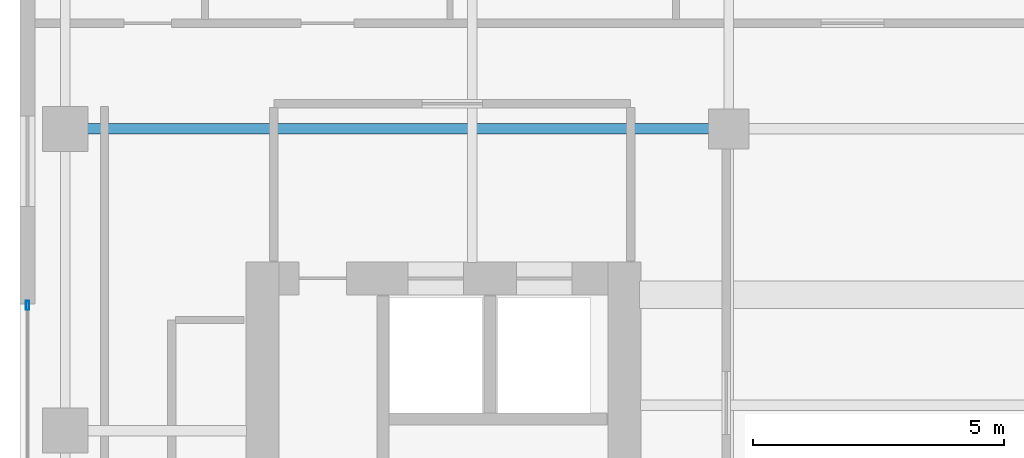
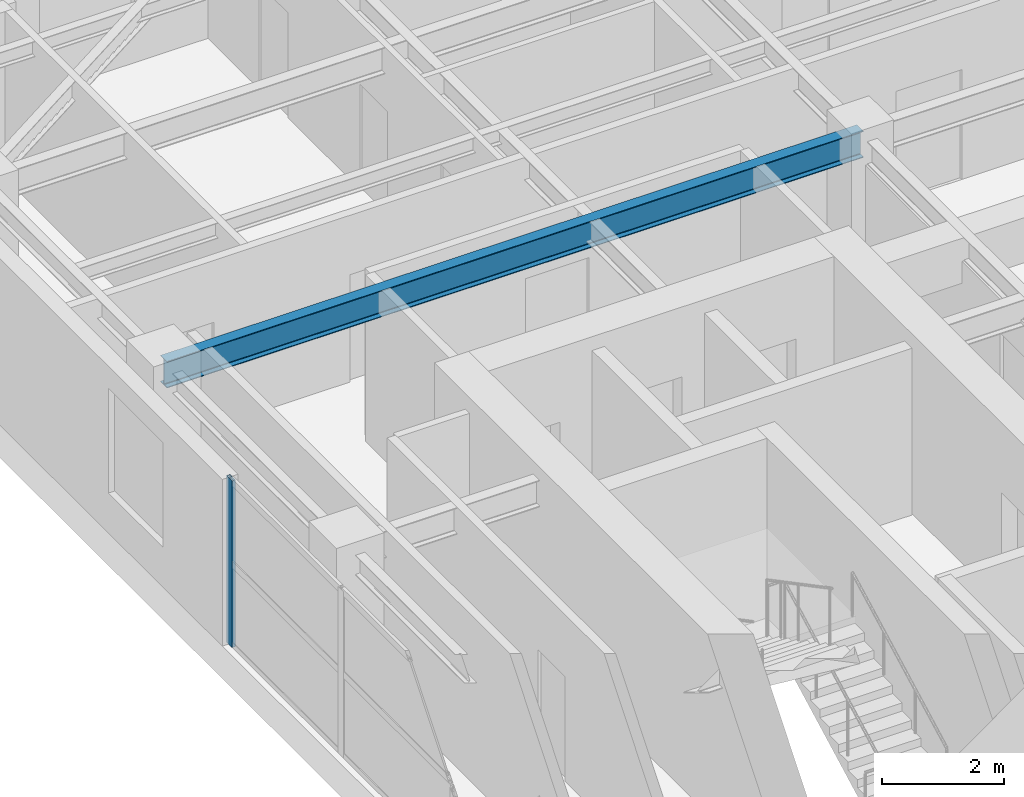
# One storey, part 10 of 24: 1 beam, 1 member, 1 element without a shape of its own.
"""IFC4 building model written with IfcOpenShell, lengths in metres."""

from ifc_helpers import new_model, si_unit, direction, frame, origin, origin_2d, place, context, subcontext, project, spatial, hollow_rectangle, i_section, extrude, source, transform, mapped, material, layer, layer_set, material_profile, profile_set, type_object, element, aggregate, save


model = new_model("IFC4")

# Units and contexts
model_context = context("Model", 3, precision=1e-05, world=origin(), true_north=direction((0.0, 1.0)))
body_context = subcontext(model_context, "Body", "Model", "MODEL_VIEW")
ifc_project = project(units=[si_unit("LENGTHUNIT", "METRE"), si_unit("AREAUNIT", "SQUARE_METRE"), si_unit("VOLUMEUNIT", "CUBIC_METRE"), si_unit("PLANEANGLEUNIT", "RADIAN"), si_unit("MASSUNIT", "GRAM", prefix="KILO")], contexts=[model_context])

# Site, building, storey
site_placement = place(None, origin())
site = spatial("IfcSite", under=ifc_project, at=site_placement, CompositionType="ELEMENT")
building_placement = place(site_placement, origin())
building = spatial("IfcBuilding", under=site, at=building_placement, Name="Khoralis Quay Care Tower", CompositionType="ELEMENT")
storey_placement = place(building_placement, frame((0.0, 0.0, 155.699951171875)))
storey = spatial("IfcBuildingStorey", under=building, at=storey_placement, Name="L40", CompositionType="ELEMENT", Elevation=155.699951171875)

# Beam
ifc_material_1 = material(Name="Steel S355", Category="steel")
ifc_material_profile_1 = material_profile(ifc_material_1, i_section(OverallWidth=0.208984375, OverallDepth=0.532958984375, WebThickness=0.01025390625, FlangeThickness=0.015625, FilletRadius=0.01611328125, at=origin_2d()), Name="Steel S355")
ifc_profile_set_1 = profile_set([ifc_material_profile_1], Name="Steel S355")
beam_type = type_object("IfcBeamType", Name="BM-W530X92", PredefinedType="BEAM", material=ifc_profile_set_1)
shared_shape_1 = source(origin(), body_context, "Body", "SweptSolid", [
    extrude(i_section(OverallWidth=0.208984375, OverallDepth=0.532958984375, WebThickness=0.01025390625, FlangeThickness=0.015625, FilletRadius=0.01611328125, at=origin_2d()), origin(), (0.0, 0.0, 1.0), 13.2001953125),
])
beam_placement = place(storey_placement, frame((3.89990234375, 30.0, 3.073486328125), z_axis=(1.0, 0.0, 0.0), x_axis=(0.0, 1.0, 0.0)))
element("IfcBeam", 1, at=beam_placement, inside=storey, type_object=beam_type, Name="BM-TGXW-L40-300", PredefinedType="BEAM", context=body_context, shape_type="MappedRepresentation", body=[
    mapped(shared_shape_1, transform((0.0, 0.0, 0.0), scale=1.0)),
])

# Curtain wall, member
ifc_material_2 = material(Name="Pale anodised aluminium", Category="aluminium")
ifc_layer = layer(ifc_material_2, 0.159912109375)
ifc_layer_set = layer_set([ifc_layer], Name="Pale anodised aluminium")
curtain_wall_type = type_object("IfcCurtainWallType", Name="CW-SYS-Z3", PredefinedType="NOTDEFINED", material=ifc_layer_set)
curtain_wall_placement = place(storey_placement, origin())
curtain_wall = element("IfcCurtainWall", 2, at=curtain_wall_placement, inside=storey, type_object=curtain_wall_type, Name="L40 Unitised Curtain Wall CW-L40-P1-E15", PredefinedType="NOTDEFINED")
ifc_material_profile_2 = material_profile(ifc_material_2, hollow_rectangle(XDim=0.06494140625, YDim=0.179931640625, WallThickness=0.00390625, at=origin_2d()), Name="Pale anodised aluminium")
ifc_profile_set_2 = profile_set([ifc_material_profile_2], Name="Pale anodised aluminium")
member_type = type_object("IfcMemberType", Name="CW-MUL-180", PredefinedType="MULLION", material=ifc_profile_set_2)
shared_shape_2 = source(origin(), body_context, "Body", "SweptSolid", [
    extrude(hollow_rectangle(XDim=0.06494140625, YDim=0.179931640625, WallThickness=0.00390625, at=origin_2d()), origin(), (0.0, 0.0, 1.0), 3.340087890625),
])
member_placement = place(storey_placement, frame((3.14990234375, 26.489990234375, 0.0), z_axis=(0.0, 0.0, 1.0), x_axis=(1.0, 0.0, 0.0)))
member = element("IfcMember", 3, at=member_placement, type_object=member_type, Name="CW3 mullion 1", PredefinedType="MULLION", context=body_context, shape_type="MappedRepresentation", body=[
    mapped(shared_shape_2, transform((0.0, 0.0, 0.0), scale=1.0)),
])
aggregate(curtain_wall, [member])

save(model, "model.ifc")
